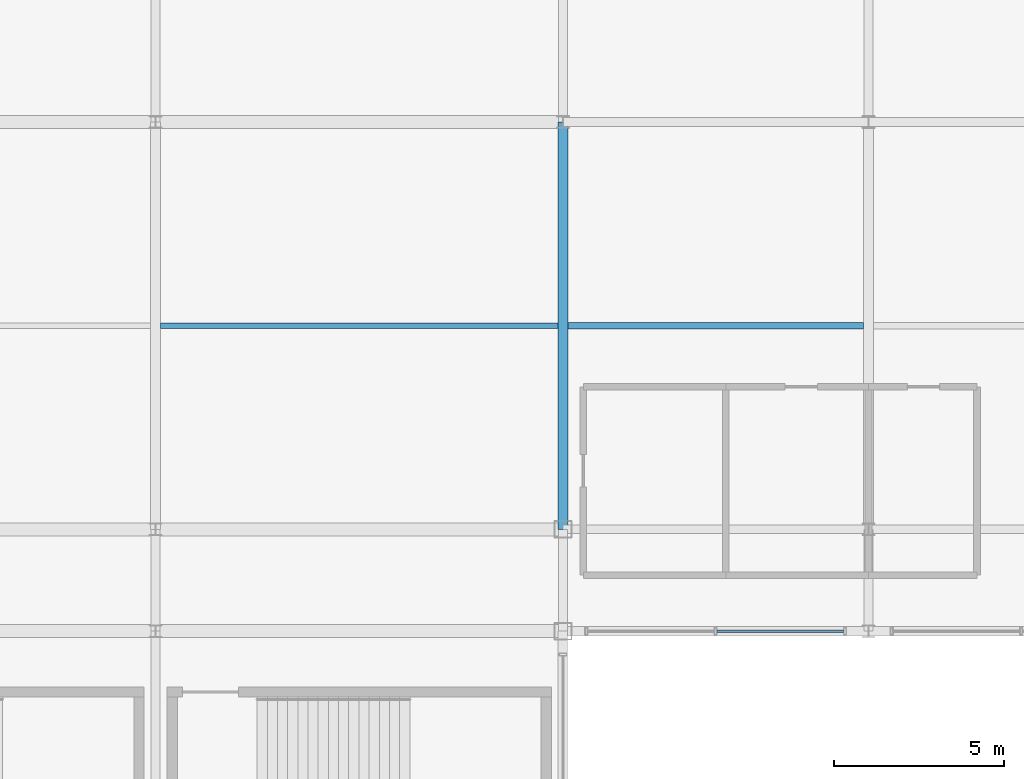
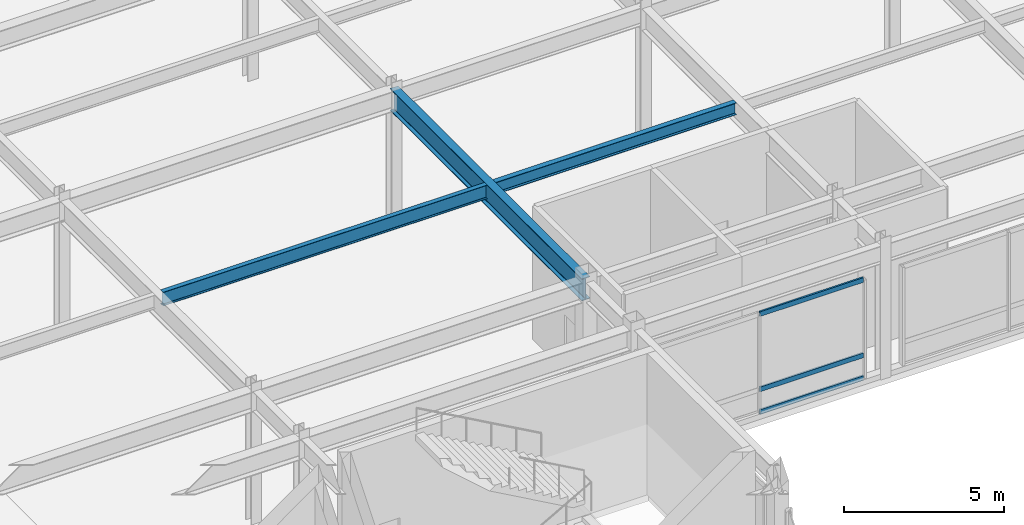
# One storey, part 60 of 100: 3 beams, 3 members, 1 element without a shape of its own.
"""IFC4 building model written with IfcOpenShell, lengths in metres."""

from ifc_helpers import new_model, si_unit, direction, frame, origin, origin_2d, place, context, subcontext, project, spatial, hollow_rectangle, i_section, extrude, material, material_profile, profile_set, type_object, element, aggregate, save


model = new_model("IFC4")

# Units and contexts
model_context = context("Model", 3, precision=1e-05, world=origin(), true_north=direction((0.0, 1.0)))
body_context = subcontext(model_context, "Body", "Model", "MODEL_VIEW")
ifc_project = project(units=[si_unit("LENGTHUNIT", "METRE"), si_unit("AREAUNIT", "SQUARE_METRE"), si_unit("VOLUMEUNIT", "CUBIC_METRE"), si_unit("PLANEANGLEUNIT", "RADIAN"), si_unit("MASSUNIT", "GRAM", prefix="KILO")], contexts=[model_context])

# Site, building, storey
site_placement = place(None, origin())
site = spatial("IfcSite", under=ifc_project, at=site_placement, CompositionType="ELEMENT")
building_placement = place(site_placement, origin())
building = spatial("IfcBuilding", under=site, at=building_placement, Name="Kaldorvane Square Convention Centre", CompositionType="ELEMENT")
storey_placement = place(building_placement, frame((0.0, 0.0, 18.0)))
storey = spatial("IfcBuildingStorey", under=building, at=storey_placement, Name="L03", CompositionType="ELEMENT", Elevation=18.0)

# Beams
ifc_material_1 = material(Name="Steel ASTM A992 Gr. 50", Category="steel")
ifc_material_profile_1 = material_profile(ifc_material_1, i_section(OverallWidth=0.292999267578125, OverallDepth=0.845794677734375, WebThickness=0.0153961181640625, FlangeThickness=0.0243988037109375, FilletRadius=0.0178070068359375, at=origin_2d()), Name="W33X141")
ifc_profile_set_1 = profile_set([ifc_material_profile_1], Name="Steel ASTM A992 Gr. 50")
beam_type_1 = type_object("IfcBeamType", Name="BM-GR-W33X141", PredefinedType="BEAM", material=ifc_profile_set_1)
beam_1_placement = place(storey_placement, frame((138.0, 84.0, 4.653106689453125), z_axis=(0.0, 1.0, 0.0), x_axis=(-1.0, 0.0, 0.0)))
element("IfcBeam", 1, at=beam_1_placement, inside=storey, type_object=beam_type_1, Name="Transverse Girder (L03)", PredefinedType="BEAM", context=body_context, shape_type="SweptSolid", body=[
    extrude(i_section(OverallWidth=0.292999267578125, OverallDepth=0.845794677734375, WebThickness=0.0153961181640625, FlangeThickness=0.0243988037109375, FilletRadius=0.0178070068359375, at=origin_2d()), origin(), (0.0, 0.0, 1.0), 12.0),
])
ifc_material_profile_2 = material_profile(ifc_material_1, i_section(OverallWidth=0.1912994384765625, OverallDepth=0.4600067138671875, WebThickness=0.0099029541015625, FlangeThickness=0.0160064697265625, FilletRadius=0.01019287109375, at=origin_2d()), Name="W18X55")
ifc_profile_set_2 = profile_set([ifc_material_profile_2], Name="Steel ASTM A992 Gr. 50")
beam_type_2 = type_object("IfcBeamType", Name="BM-JS-W18X55", PredefinedType="JOIST", material=ifc_profile_set_2)
beam_2_placement = place(storey_placement, frame((138.14649963378906, 90.0, 4.8459930419921875), z_axis=(1.0, 0.0, 0.0), x_axis=(0.0, 1.0, 0.0)))
element("IfcBeam", 2, at=beam_2_placement, inside=storey, type_object=beam_type_2, Name="Secondary Floor Joist (L03)", PredefinedType="JOIST", context=body_context, shape_type="SweptSolid", body=[
    extrude(i_section(OverallWidth=0.1912994384765625, OverallDepth=0.4600067138671875, WebThickness=0.0099029541015625, FlangeThickness=0.0160064697265625, FilletRadius=0.01019287109375, at=origin_2d()), origin(), (0.0, 0.0, 1.0), 8.707000732421875),
])
ifc_material_profile_3 = material_profile(ifc_material_1, i_section(OverallWidth=0.1658935546875, OverallDepth=0.5290985107421875, WebThickness=0.00970458984375, FlangeThickness=0.0135955810546875, FilletRadius=0.0126953125, at=origin_2d()), Name="W21X50")
ifc_profile_set_3 = profile_set([ifc_material_profile_3], Name="Steel ASTM A992 Gr. 50")
beam_type_3 = type_object("IfcBeamType", Name="BM-JS-W21X50", PredefinedType="JOIST", material=ifc_profile_set_3)
beam_3_placement = place(storey_placement, frame((126.14649963378906, 90.0, 4.8114013671875), z_axis=(1.0, 0.0, 0.0), x_axis=(0.0, 1.0, 0.0)))
element("IfcBeam", 3, at=beam_3_placement, inside=storey, type_object=beam_type_3, Name="Secondary Floor Joist (L03)", PredefinedType="JOIST", context=body_context, shape_type="SweptSolid", body=[
    extrude(i_section(OverallWidth=0.1658935546875, OverallDepth=0.5290985107421875, WebThickness=0.00970458984375, FlangeThickness=0.0135955810546875, FilletRadius=0.0126953125, at=origin_2d()), origin(), (0.0, 0.0, 1.0), 11.707000732421875),
])

# Curtain wall, members
ifc_material_2 = material(Name="Anodized Aluminum and Low-E Insulated Glazing", Category="aluminium")
curtain_wall_type = type_object("IfcCurtainWallType", Name="CW-PTS-FC-54", PredefinedType="USERDEFINED", material=ifc_material_2)
curtain_wall_placement = place(storey_placement, origin())
curtain_wall = element("IfcCurtainWall", 4, at=curtain_wall_placement, inside=storey, type_object=curtain_wall_type, Name="Curtain Wall CW-08 (L03)", ObjectType="POINT SUPPORTED GLAZING", PredefinedType="USERDEFINED")
ifc_material_profile_4 = material_profile(ifc_material_2, hollow_rectangle(XDim=0.06500244140625, YDim=0.17999267578125, WallThickness=0.0034942626953125, at=origin_2d()), Name="CWT-180X65")
ifc_profile_set_4 = profile_set([ifc_material_profile_4], Name="Anodized Aluminum and Low-E Insulated Glazing")
member_type = type_object("IfcMemberType", Name="CW-TRN-180", PredefinedType="USERDEFINED", material=ifc_profile_set_4)
member_1_placement = place(storey_placement, frame((142.53750610351562, 81.0, 0.1824951171875), z_axis=(1.0, 0.0, 0.0), x_axis=(0.0, 1.0, 0.0)))
member_1 = element("IfcMember", 5, at=member_1_placement, type_object=member_type, Name="CW-08 transom 2.1", ObjectType="TRANSOM", PredefinedType="USERDEFINED", context=body_context, shape_type="SweptSolid", body=[
    extrude(hollow_rectangle(XDim=0.06500244140625, YDim=0.17999267578125, WallThickness=0.0034942626953125, at=origin_2d()), origin(), (0.0, 0.0, 1.0), 3.73748779296875),
])
member_2_placement = place(storey_placement, frame((142.53750610351562, 81.0, 1.0500030517578125), z_axis=(1.0, 0.0, 0.0), x_axis=(0.0, 1.0, 0.0)))
member_2 = element("IfcMember", 6, at=member_2_placement, type_object=member_type, Name="CW-08 transom 2.2", ObjectType="TRANSOM", PredefinedType="USERDEFINED", context=body_context, shape_type="SweptSolid", body=[
    extrude(hollow_rectangle(XDim=0.06500244140625, YDim=0.17999267578125, WallThickness=0.0034942626953125, at=origin_2d()), origin(), (0.0, 0.0, 1.0), 3.73748779296875),
])
member_3_placement = place(storey_placement, frame((142.53750610351562, 81.0, 3.9275054931640625), z_axis=(1.0, 0.0, 0.0), x_axis=(0.0, 1.0, 0.0)))
member_3 = element("IfcMember", 7, at=member_3_placement, type_object=member_type, Name="CW-08 transom 2.3", ObjectType="TRANSOM", PredefinedType="USERDEFINED", context=body_context, shape_type="SweptSolid", body=[
    extrude(hollow_rectangle(XDim=0.06500244140625, YDim=0.17999267578125, WallThickness=0.0034942626953125, at=origin_2d()), origin(), (0.0, 0.0, 1.0), 3.73748779296875),
])
aggregate(curtain_wall, [member_1, member_2, member_3])

save(model, "model.ifc")
